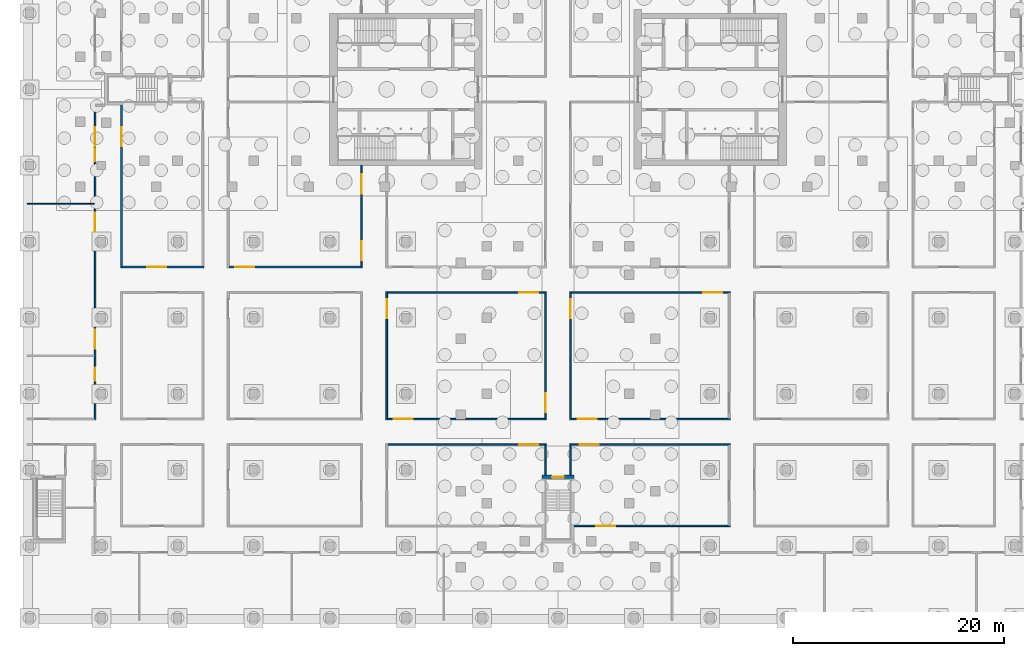
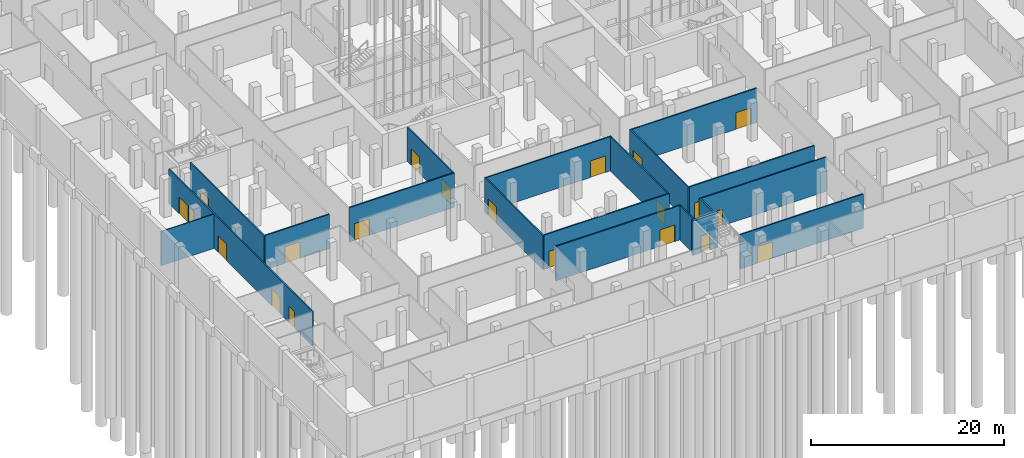
# One storey, part 8 of 54: 21 doors, 19 walls, 21 openings.
"""IFC4 building model written with IfcOpenShell, lengths in metres."""

from ifc_helpers import new_model, si_unit, direction, frame, frame_2d, origin, place, context, subcontext, project, spatial, rectangle, extrude, material, layer, layer_set, type_object, element, fill, save


model = new_model("IFC4")

# Units and contexts
model_context = context("Model", 3, precision=1e-05, world=origin(), true_north=direction((0.0, 1.0)))
body_context = subcontext(model_context, "Body", "Model", "MODEL_VIEW")
ifc_project = project(units=[si_unit("LENGTHUNIT", "METRE"), si_unit("AREAUNIT", "SQUARE_METRE"), si_unit("VOLUMEUNIT", "CUBIC_METRE"), si_unit("PLANEANGLEUNIT", "RADIAN"), si_unit("MASSUNIT", "GRAM", prefix="KILO")], contexts=[model_context])

# Site, building, storey
site_placement = place(None, origin())
site = spatial("IfcSite", under=ifc_project, at=site_placement, CompositionType="ELEMENT")
building_placement = place(site_placement, origin())
building = spatial("IfcBuilding", under=site, at=building_placement, Name="Fustian Cross Tower", CompositionType="ELEMENT")
storey_placement = place(building_placement, frame((0.0, 0.0, -4.800048828125)))
storey = spatial("IfcBuildingStorey", under=building, at=storey_placement, Name="B1", CompositionType="ELEMENT", Elevation=-4.800048828125)

# Wall, openings, doors
ifc_material_1 = material(Name="Plasterboard on steel stud", Category="steel")
ifc_layer_1 = layer(ifc_material_1, 0.14990234375)
ifc_layer_set_1 = layer_set([ifc_layer_1], Name="Plasterboard on steel stud")
wall_type_1 = type_object("IfcWallType", Name="COMPARTMENT WALL 150 EI 60", PredefinedType="PARTITIONING", material=ifc_layer_set_1)
wall_1_placement = place(storey_placement, frame((-43.800048828125, -31.27490234375, 0.0), z_axis=(0.0, 0.0, 1.0), x_axis=(0.0, 1.0, 0.0)))
wall_1 = element("IfcWall", 1, at=wall_1_placement, inside=storey, type_object=wall_type_1, Name="Partition 15", PredefinedType="PARTITIONING", context=body_context, shape_type="SweptSolid", body=[
    extrude(rectangle(XDim=29.849853515625, YDim=0.14990234375, at=frame_2d((14.9248046875, 0.0))), origin(), (0.0, 0.0, 1.0), 4.35009765625),
])
opening_1_placement = place(wall_1_placement, frame((3.72509765625, 0.0, 0.0)))
opening_1 = element("IfcOpeningElement", 2, at=opening_1_placement, cuts=wall_1, Name="Opening D01008", PredefinedType="OPENING", context=body_context, shape_type="SweptSolid", body=[
    extrude(rectangle(XDim=1.199951171875, YDim=2.10009765625, at=frame_2d((0.60009765625, 1.050048828125))), frame((0.0, 0.0849609375, 0.0), z_axis=(0.0, -1.0, 0.0), x_axis=(1.0, 0.0, 0.0)), (0.0, 0.0, 1.0), 0.169921875),
])
opening_2_placement = place(wall_1_placement, frame((24.47509765625, 0.0, 0.0)))
opening_2 = element("IfcOpeningElement", 3, at=opening_2_placement, cuts=wall_1, Name="Opening D01161", PredefinedType="OPENING", context=body_context, shape_type="SweptSolid", body=[
    extrude(rectangle(XDim=1.199951171875, YDim=2.10009765625, at=frame_2d((0.60009765625, 1.050048828125))), frame((0.0, 0.0849609375, 0.0), z_axis=(0.0, -1.0, 0.0), x_axis=(1.0, 0.0, 0.0)), (0.0, 0.0, 1.0), 0.169921875),
])
opening_3_placement = place(wall_1_placement, frame((25.875, 0.0, 0.0)))
opening_3 = element("IfcOpeningElement", 4, at=opening_3_placement, cuts=wall_1, Name="Opening D01162", PredefinedType="OPENING", context=body_context, shape_type="SweptSolid", body=[
    extrude(rectangle(XDim=1.800048828125, YDim=2.10009765625, at=frame_2d((0.89990234375, 1.050048828125))), frame((0.0, 0.0849609375, 0.0), z_axis=(0.0, -1.0, 0.0), x_axis=(1.0, 0.0, 0.0)), (0.0, 0.0, 1.0), 0.169921875),
])
opening_4_placement = place(wall_1_placement, frame((6.72509765625, 0.0, 0.0)))
opening_4 = element("IfcOpeningElement", 5, at=opening_4_placement, cuts=wall_1, Name="Opening D01175", PredefinedType="OPENING", context=body_context, shape_type="SweptSolid", body=[
    extrude(rectangle(XDim=1.800048828125, YDim=2.10009765625, at=frame_2d((0.89990234375, 1.050048828125))), frame((0.0, 0.0849609375, 0.0), z_axis=(0.0, -1.0, 0.0), x_axis=(1.0, 0.0, 0.0)), (0.0, 0.0, 1.0), 0.169921875),
])
opening_5_placement = place(wall_1_placement, frame((17.824951171875, 0.0, 0.0)))
opening_5 = element("IfcOpeningElement", 6, at=opening_5_placement, cuts=wall_1, Name="Opening D01176", PredefinedType="OPENING", context=body_context, shape_type="SweptSolid", body=[
    extrude(rectangle(XDim=1.800048828125, YDim=2.10009765625, at=frame_2d((0.89990234375, 1.050048828125))), frame((0.0, 0.0849609375, 0.0), z_axis=(0.0, -1.0, 0.0), x_axis=(1.0, 0.0, 0.0)), (0.0, 0.0, 1.0), 0.169921875),
])
ifc_material_2 = material(Name="Timber fire door set", Category="wood")
door_type_1 = type_object("IfcDoorType", Name="FIRE DOUBLE DOOR 1800 FD30S", OperationType="DOUBLE_DOOR_DOUBLE_SWING", PredefinedType="DOOR", material=ifc_material_2)
door_1_placement = place(opening_3_placement, frame((1.800048828125, 0.0, 0.0), z_axis=(0.0, 0.0, 1.0), x_axis=(-1.0, 0.0, 0.0)))
door_1 = element("IfcDoor", 7, at=door_1_placement, inside=storey, type_object=door_type_1, Name="Door D01162", OperationType="DOUBLE_DOOR_DOUBLE_SWING", OverallHeight=2.10009765625, OverallWidth=1.800048828125, PredefinedType="DOOR", context=body_context, shape_type="SweptSolid", body=[
    extrude(rectangle(XDim=1.800048828125, YDim=2.10009765625, at=frame_2d((0.89990234375, 1.050048828125))), frame((0.0, 0.02490234375, 0.0), z_axis=(0.0, -1.0, 0.0), x_axis=(1.0, 0.0, 0.0)), (0.0, 0.0, 1.0), 0.050048828125),
])
fill(opening_3, door_1)
door_2_placement = place(opening_4_placement, frame((1.800048828125, 0.0, 0.0), z_axis=(0.0, 0.0, 1.0), x_axis=(-1.0, 0.0, 0.0)))
door_2 = element("IfcDoor", 8, at=door_2_placement, inside=storey, type_object=door_type_1, Name="Door D01175", OperationType="DOUBLE_DOOR_DOUBLE_SWING", OverallHeight=2.10009765625, OverallWidth=1.800048828125, PredefinedType="DOOR", context=body_context, shape_type="SweptSolid", body=[
    extrude(rectangle(XDim=1.800048828125, YDim=2.10009765625, at=frame_2d((0.89990234375, 1.050048828125))), frame((0.0, 0.02490234375, 0.0), z_axis=(0.0, -1.0, 0.0), x_axis=(1.0, 0.0, 0.0)), (0.0, 0.0, 1.0), 0.050048828125),
])
fill(opening_4, door_2)
door_3_placement = place(opening_5_placement, frame((1.800048828125, 0.0, 0.0), z_axis=(0.0, 0.0, 1.0), x_axis=(-1.0, 0.0, 0.0)))
door_3 = element("IfcDoor", 9, at=door_3_placement, inside=storey, type_object=door_type_1, Name="Door D01176", OperationType="DOUBLE_DOOR_DOUBLE_SWING", OverallHeight=2.10009765625, OverallWidth=1.800048828125, PredefinedType="DOOR", context=body_context, shape_type="SweptSolid", body=[
    extrude(rectangle(XDim=1.800048828125, YDim=2.10009765625, at=frame_2d((0.89990234375, 1.050048828125))), frame((0.0, 0.02490234375, 0.0), z_axis=(0.0, -1.0, 0.0), x_axis=(1.0, 0.0, 0.0)), (0.0, 0.0, 1.0), 0.050048828125),
])
fill(opening_5, door_3)
ifc_material_3 = material(Name="Timber fire door set", Category="wood")
door_type_2 = type_object("IfcDoorType", Name="FIRE SWING DOOR 1200 FD30S", OperationType="SINGLE_SWING_LEFT", PredefinedType="DOOR", material=ifc_material_3)
door_4_placement = place(opening_1_placement, origin())
door_4 = element("IfcDoor", 10, at=door_4_placement, inside=storey, type_object=door_type_2, Name="Door D01008", OperationType="SINGLE_SWING_RIGHT", OverallHeight=2.10009765625, OverallWidth=1.199951171875, PredefinedType="DOOR", context=body_context, shape_type="SweptSolid", body=[
    extrude(rectangle(XDim=1.199951171875, YDim=2.10009765625, at=frame_2d((0.60009765625, 1.050048828125))), frame((0.0, 0.02490234375, 0.0), z_axis=(0.0, -1.0, 0.0), x_axis=(1.0, 0.0, 0.0)), (0.0, 0.0, 1.0), 0.050048828125),
])
fill(opening_1, door_4)
door_5_placement = place(opening_2_placement, origin())
door_5 = element("IfcDoor", 11, at=door_5_placement, inside=storey, type_object=door_type_2, Name="Door D01161", OperationType="SINGLE_SWING_LEFT", OverallHeight=2.10009765625, OverallWidth=1.199951171875, PredefinedType="DOOR", context=body_context, shape_type="SweptSolid", body=[
    extrude(rectangle(XDim=1.199951171875, YDim=2.10009765625, at=frame_2d((0.60009765625, 1.050048828125))), frame((0.0, 0.02490234375, 0.0), z_axis=(0.0, -1.0, 0.0), x_axis=(1.0, 0.0, 0.0)), (0.0, 0.0, 1.0), 0.050048828125),
])
fill(opening_2, door_5)

# Wall, opening, door
wall_2_placement = place(storey_placement, frame((-41.300048828125, -16.875, 0.0), z_axis=(0.0, 0.0, 1.0), x_axis=(0.0, 1.0, 0.0)))
wall_2 = element("IfcWall", 12, at=wall_2_placement, inside=storey, type_object=wall_type_1, Name="Partition 27", PredefinedType="PARTITIONING", context=body_context, shape_type="SweptSolid", body=[
    extrude(rectangle(XDim=15.375, YDim=0.14990234375, at=frame_2d((7.6875, 0.0))), origin(), (0.0, 0.0, 1.0), 4.35009765625),
])
opening_6_placement = place(wall_2_placement, frame((11.47509765625, 0.0, 0.0)))
opening_6 = element("IfcOpeningElement", 13, at=opening_6_placement, cuts=wall_2, Name="Opening D01169", PredefinedType="OPENING", context=body_context, shape_type="SweptSolid", body=[
    extrude(rectangle(XDim=1.800048828125, YDim=2.10009765625, at=frame_2d((0.89990234375, 1.050048828125))), frame((0.0, 0.0849609375, 0.0), z_axis=(0.0, -1.0, 0.0), x_axis=(1.0, 0.0, 0.0)), (0.0, 0.0, 1.0), 0.169921875),
])
door_6_placement = place(opening_6_placement, origin())
door_6 = element("IfcDoor", 14, at=door_6_placement, inside=storey, type_object=door_type_1, Name="Door D01169", OperationType="DOUBLE_DOOR_DOUBLE_SWING", OverallHeight=2.10009765625, OverallWidth=1.800048828125, PredefinedType="DOOR", context=body_context, shape_type="SweptSolid", body=[
    extrude(rectangle(XDim=1.800048828125, YDim=2.10009765625, at=frame_2d((0.89990234375, 1.050048828125))), frame((0.0, 0.02490234375, 0.0), z_axis=(0.0, -1.0, 0.0), x_axis=(1.0, 0.0, 0.0)), (0.0, 0.0, 1.0), 0.050048828125),
])
fill(opening_6, door_6)

wall_3_placement = place(storey_placement, frame((-41.22509765625, -16.800048828125, 0.0), z_axis=(0.0, 0.0, 1.0), x_axis=(1.0, 0.0, 0.0)))
wall_3 = element("IfcWall", 15, at=wall_3_placement, inside=storey, type_object=wall_type_1, Name="Partition 28", PredefinedType="PARTITIONING", context=body_context, shape_type="SweptSolid", body=[
    extrude(rectangle(XDim=7.7001953125, YDim=0.14990234375, at=frame_2d((3.85009765625, 0.0))), origin(), (0.0, 0.0, 1.0), 4.35009765625),
])
opening_7_placement = place(wall_3_placement, frame((2.375, 0.0, 0.0)))
opening_7 = element("IfcOpeningElement", 16, at=opening_7_placement, cuts=wall_3, Name="Opening D01170", PredefinedType="OPENING", context=body_context, shape_type="SweptSolid", body=[
    extrude(rectangle(XDim=1.800048828125, YDim=2.10009765625, at=frame_2d((0.89990234375, 1.050048828125))), frame((0.0, 0.0849609375, 0.0), z_axis=(0.0, -1.0, 0.0), x_axis=(1.0, 0.0, 0.0)), (0.0, 0.0, 1.0), 0.169921875),
])
door_7_placement = place(opening_7_placement, frame((1.800048828125, 0.0, 0.0), z_axis=(0.0, 0.0, 1.0), x_axis=(-1.0, 0.0, 0.0)))
door_7 = element("IfcDoor", 17, at=door_7_placement, inside=storey, type_object=door_type_1, Name="Door D01170", OperationType="DOUBLE_DOOR_DOUBLE_SWING", OverallHeight=2.10009765625, OverallWidth=1.800048828125, PredefinedType="DOOR", context=body_context, shape_type="SweptSolid", body=[
    extrude(rectangle(XDim=1.800048828125, YDim=2.10009765625, at=frame_2d((0.89990234375, 1.050048828125))), frame((0.0, 0.02490234375, 0.0), z_axis=(0.0, -1.0, 0.0), x_axis=(1.0, 0.0, 0.0)), (0.0, 0.0, 1.0), 0.050048828125),
])
fill(opening_7, door_7)

wall_4_placement = place(storey_placement, frame((-31.125, -16.800048828125, 0.0), z_axis=(0.0, 0.0, 1.0), x_axis=(1.0, 0.0, 0.0)))
wall_4 = element("IfcWall", 18, at=wall_4_placement, inside=storey, type_object=wall_type_1, Name="Partition 54", PredefinedType="PARTITIONING", context=body_context, shape_type="SweptSolid", body=[
    extrude(rectangle(XDim=12.60009765625, YDim=0.14990234375, at=frame_2d((6.300048828125, 0.0))), origin(), (0.0, 0.0, 1.0), 4.35009765625),
])
opening_8_placement = place(wall_4_placement, frame((0.574951171875, 0.0, 0.0)))
opening_8 = element("IfcOpeningElement", 19, at=opening_8_placement, cuts=wall_4, Name="Opening D01087", PredefinedType="OPENING", context=body_context, shape_type="SweptSolid", body=[
    extrude(rectangle(XDim=1.800048828125, YDim=2.10009765625, at=frame_2d((0.89990234375, 1.050048828125))), frame((0.0, 0.0849609375, 0.0), z_axis=(0.0, -1.0, 0.0), x_axis=(1.0, 0.0, 0.0)), (0.0, 0.0, 1.0), 0.169921875),
])
ifc_material_4 = material(Name="Timber fire door set", Category="wood")
door_type_3 = type_object("IfcDoorType", Name="FIRE DOUBLE DOOR 1800 FD60S", OperationType="DOUBLE_DOOR_DOUBLE_SWING", PredefinedType="DOOR", material=ifc_material_4)
door_8_placement = place(opening_8_placement, frame((1.800048828125, 0.0, 0.0), z_axis=(0.0, 0.0, 1.0), x_axis=(-1.0, 0.0, 0.0)))
door_8 = element("IfcDoor", 20, at=door_8_placement, inside=storey, type_object=door_type_3, Name="Door D01087", OperationType="DOUBLE_DOOR_DOUBLE_SWING", OverallHeight=2.10009765625, OverallWidth=1.800048828125, PredefinedType="DOOR", context=body_context, shape_type="SweptSolid", body=[
    extrude(rectangle(XDim=1.800048828125, YDim=2.10009765625, at=frame_2d((0.89990234375, 1.050048828125))), frame((0.0, 0.02490234375, 0.0), z_axis=(0.0, -1.0, 0.0), x_axis=(1.0, 0.0, 0.0)), (0.0, 0.0, 1.0), 0.050048828125),
])
fill(opening_8, door_8)

# Wall, openings, doors
wall_5_placement = place(storey_placement, frame((-18.60009765625, -16.72509765625, 0.0), z_axis=(0.0, 0.0, 1.0), x_axis=(0.0, 1.0, 0.0)))
wall_5 = element("IfcWall", 21, at=wall_5_placement, inside=storey, type_object=wall_type_1, Name="Partition 68", PredefinedType="PARTITIONING", context=body_context, shape_type="SweptSolid", body=[
    extrude(rectangle(XDim=9.525146484375, YDim=0.14990234375, at=frame_2d((4.7626953125, 0.0))), origin(), (0.0, 0.0, 1.0), 4.35009765625),
])
opening_9_placement = place(wall_5_placement, frame((0.574951171875, 0.0, 0.0)))
opening_9 = element("IfcOpeningElement", 22, at=opening_9_placement, cuts=wall_5, Name="Opening D01089", PredefinedType="OPENING", context=body_context, shape_type="SweptSolid", body=[
    extrude(rectangle(XDim=1.800048828125, YDim=2.10009765625, at=frame_2d((0.89990234375, 1.050048828125))), frame((0.0, 0.0849609375, 0.0), z_axis=(0.0, -1.0, 0.0), x_axis=(1.0, 0.0, 0.0)), (0.0, 0.0, 1.0), 0.169921875),
])
opening_10_placement = place(wall_5_placement, frame((6.875, 0.0, 0.0)))
opening_10 = element("IfcOpeningElement", 23, at=opening_10_placement, cuts=wall_5, Name="Opening D01090", PredefinedType="OPENING", context=body_context, shape_type="SweptSolid", body=[
    extrude(rectangle(XDim=1.800048828125, YDim=2.10009765625, at=frame_2d((0.89990234375, 1.050048828125))), frame((0.0, 0.0849609375, 0.0), z_axis=(0.0, -1.0, 0.0), x_axis=(1.0, 0.0, 0.0)), (0.0, 0.0, 1.0), 0.169921875),
])
door_9_placement = place(opening_9_placement, frame((1.800048828125, 0.0, 0.0), z_axis=(0.0, 0.0, 1.0), x_axis=(-1.0, 0.0, 0.0)))
door_9 = element("IfcDoor", 24, at=door_9_placement, inside=storey, type_object=door_type_3, Name="Door D01089", OperationType="DOUBLE_DOOR_DOUBLE_SWING", OverallHeight=2.10009765625, OverallWidth=1.800048828125, PredefinedType="DOOR", context=body_context, shape_type="SweptSolid", body=[
    extrude(rectangle(XDim=1.800048828125, YDim=2.10009765625, at=frame_2d((0.89990234375, 1.050048828125))), frame((0.0, 0.02490234375, 0.0), z_axis=(0.0, -1.0, 0.0), x_axis=(1.0, 0.0, 0.0)), (0.0, 0.0, 1.0), 0.050048828125),
])
fill(opening_9, door_9)
door_10_placement = place(opening_10_placement, frame((1.800048828125, 0.0, 0.0), z_axis=(0.0, 0.0, 1.0), x_axis=(-1.0, 0.0, 0.0)))
door_10 = element("IfcDoor", 25, at=door_10_placement, inside=storey, type_object=door_type_3, Name="Door D01090", OperationType="DOUBLE_DOOR_DOUBLE_SWING", OverallHeight=2.10009765625, OverallWidth=1.800048828125, PredefinedType="DOOR", context=body_context, shape_type="SweptSolid", body=[
    extrude(rectangle(XDim=1.800048828125, YDim=2.10009765625, at=frame_2d((0.89990234375, 1.050048828125))), frame((0.0, 0.02490234375, 0.0), z_axis=(0.0, -1.0, 0.0), x_axis=(1.0, 0.0, 0.0)), (0.0, 0.0, 1.0), 0.050048828125),
])
fill(opening_10, door_10)

# Wall, opening, door
wall_6_placement = place(storey_placement, frame((-16.125, -33.60009765625, 0.0), z_axis=(0.0, 0.0, 1.0), x_axis=(1.0, 0.0, 0.0)))
wall_6 = element("IfcWall", 26, at=wall_6_placement, inside=storey, type_object=wall_type_1, Name="Partition 74", PredefinedType="PARTITIONING", context=body_context, shape_type="SweptSolid", body=[
    extrude(rectangle(XDim=15.0, YDim=0.14990234375, at=frame_2d((7.5, 0.0))), origin(), (0.0, 0.0, 1.0), 4.35009765625),
])
opening_11_placement = place(wall_6_placement, frame((12.47509765625, 0.0, 0.0)))
opening_11 = element("IfcOpeningElement", 27, at=opening_11_placement, cuts=wall_6, Name="Opening D01019", PredefinedType="OPENING", context=body_context, shape_type="SweptSolid", body=[
    extrude(rectangle(XDim=1.800048828125, YDim=2.10009765625, at=frame_2d((0.89990234375, 1.050048828125))), frame((0.0, 0.0849609375, 0.0), z_axis=(0.0, -1.0, 0.0), x_axis=(1.0, 0.0, 0.0)), (0.0, 0.0, 1.0), 0.169921875),
])
door_11_placement = place(opening_11_placement, origin())
door_11 = element("IfcDoor", 28, at=door_11_placement, inside=storey, type_object=door_type_1, Name="Door D01019", OperationType="DOUBLE_DOOR_DOUBLE_SWING", OverallHeight=2.10009765625, OverallWidth=1.800048828125, PredefinedType="DOOR", context=body_context, shape_type="SweptSolid", body=[
    extrude(rectangle(XDim=1.800048828125, YDim=2.10009765625, at=frame_2d((0.89990234375, 1.050048828125))), frame((0.0, 0.02490234375, 0.0), z_axis=(0.0, -1.0, 0.0), x_axis=(1.0, 0.0, 0.0)), (0.0, 0.0, 1.0), 0.050048828125),
])
fill(opening_11, door_11)

wall_7_placement = place(storey_placement, frame((-16.199951171875, -31.27490234375, 0.0), z_axis=(0.0, 0.0, 1.0), x_axis=(0.0, 1.0, 0.0)))
wall_7 = element("IfcWall", 29, at=wall_7_placement, inside=storey, type_object=wall_type_1, Name="Partition 75", PredefinedType="PARTITIONING", context=body_context, shape_type="SweptSolid", body=[
    extrude(rectangle(XDim=12.14990234375, YDim=0.14990234375, at=frame_2d((6.074951171875, 0.0))), origin(), (0.0, 0.0, 1.0), 4.35009765625),
])
opening_12_placement = place(wall_7_placement, frame((9.625, 0.0, 0.0)))
opening_12 = element("IfcOpeningElement", 30, at=opening_12_placement, cuts=wall_7, Name="Opening D01091", PredefinedType="OPENING", context=body_context, shape_type="SweptSolid", body=[
    extrude(rectangle(XDim=1.800048828125, YDim=2.10009765625, at=frame_2d((0.89990234375, 1.050048828125))), frame((0.0, 0.0849609375, 0.0), z_axis=(0.0, -1.0, 0.0), x_axis=(1.0, 0.0, 0.0)), (0.0, 0.0, 1.0), 0.169921875),
])
door_12_placement = place(opening_12_placement, origin())
door_12 = element("IfcDoor", 31, at=door_12_placement, inside=storey, type_object=door_type_3, Name="Door D01091", OperationType="DOUBLE_DOOR_DOUBLE_SWING", OverallHeight=2.10009765625, OverallWidth=1.800048828125, PredefinedType="DOOR", context=body_context, shape_type="SweptSolid", body=[
    extrude(rectangle(XDim=1.800048828125, YDim=2.10009765625, at=frame_2d((0.89990234375, 1.050048828125))), frame((0.0, 0.02490234375, 0.0), z_axis=(0.0, -1.0, 0.0), x_axis=(1.0, 0.0, 0.0)), (0.0, 0.0, 1.0), 0.050048828125),
])
fill(opening_12, door_12)

wall_8_placement = place(storey_placement, frame((-16.125, -31.199951171875, 0.0), z_axis=(0.0, 0.0, 1.0), x_axis=(1.0, 0.0, 0.0)))
wall_8 = element("IfcWall", 32, at=wall_8_placement, inside=storey, type_object=wall_type_1, Name="Partition 76", PredefinedType="PARTITIONING", context=body_context, shape_type="SweptSolid", body=[
    extrude(rectangle(XDim=15.0, YDim=0.14990234375, at=frame_2d((7.5, 0.0))), origin(), (0.0, 0.0, 1.0), 4.35009765625),
])
opening_13_placement = place(wall_8_placement, frame((0.574951171875, 0.0, 0.0)))
opening_13 = element("IfcOpeningElement", 33, at=opening_13_placement, cuts=wall_8, Name="Opening D01092", PredefinedType="OPENING", context=body_context, shape_type="SweptSolid", body=[
    extrude(rectangle(XDim=1.800048828125, YDim=2.10009765625, at=frame_2d((0.89990234375, 1.050048828125))), frame((0.0, 0.0849609375, 0.0), z_axis=(0.0, -1.0, 0.0), x_axis=(1.0, 0.0, 0.0)), (0.0, 0.0, 1.0), 0.169921875),
])
door_13_placement = place(opening_13_placement, frame((1.800048828125, 0.0, 0.0), z_axis=(0.0, 0.0, 1.0), x_axis=(-1.0, 0.0, 0.0)))
door_13 = element("IfcDoor", 34, at=door_13_placement, inside=storey, type_object=door_type_3, Name="Door D01092", OperationType="DOUBLE_DOOR_DOUBLE_SWING", OverallHeight=2.10009765625, OverallWidth=1.800048828125, PredefinedType="DOOR", context=body_context, shape_type="SweptSolid", body=[
    extrude(rectangle(XDim=1.800048828125, YDim=2.10009765625, at=frame_2d((0.89990234375, 1.050048828125))), frame((0.0, 0.02490234375, 0.0), z_axis=(0.0, -1.0, 0.0), x_axis=(1.0, 0.0, 0.0)), (0.0, 0.0, 1.0), 0.050048828125),
])
fill(opening_13, door_13)

wall_9_placement = place(storey_placement, frame((-16.125, -19.199951171875, 0.0), z_axis=(0.0, 0.0, 1.0), x_axis=(1.0, 0.0, 0.0)))
wall_9 = element("IfcWall", 35, at=wall_9_placement, inside=storey, type_object=wall_type_1, Name="Partition 77", PredefinedType="PARTITIONING", context=body_context, shape_type="SweptSolid", body=[
    extrude(rectangle(XDim=15.0, YDim=0.14990234375, at=frame_2d((7.5, 0.0))), origin(), (0.0, 0.0, 1.0), 4.35009765625),
])
opening_14_placement = place(wall_9_placement, frame((12.47509765625, 0.0, 0.0)))
opening_14 = element("IfcOpeningElement", 36, at=opening_14_placement, cuts=wall_9, Name="Opening D01093", PredefinedType="OPENING", context=body_context, shape_type="SweptSolid", body=[
    extrude(rectangle(XDim=1.800048828125, YDim=2.10009765625, at=frame_2d((0.89990234375, 1.050048828125))), frame((0.0, 0.0849609375, 0.0), z_axis=(0.0, -1.0, 0.0), x_axis=(1.0, 0.0, 0.0)), (0.0, 0.0, 1.0), 0.169921875),
])
door_14_placement = place(opening_14_placement, origin())
door_14 = element("IfcDoor", 37, at=door_14_placement, inside=storey, type_object=door_type_3, Name="Door D01093", OperationType="DOUBLE_DOOR_DOUBLE_SWING", OverallHeight=2.10009765625, OverallWidth=1.800048828125, PredefinedType="DOOR", context=body_context, shape_type="SweptSolid", body=[
    extrude(rectangle(XDim=1.800048828125, YDim=2.10009765625, at=frame_2d((0.89990234375, 1.050048828125))), frame((0.0, 0.02490234375, 0.0), z_axis=(0.0, -1.0, 0.0), x_axis=(1.0, 0.0, 0.0)), (0.0, 0.0, 1.0), 0.050048828125),
])
fill(opening_14, door_14)

# Wall
wall_10_placement = place(storey_placement, frame((-1.199951171875, -36.5, 0.0), z_axis=(0.0, 0.0, 1.0), x_axis=(0.0, 1.0, 0.0)))
element("IfcWall", 38, at=wall_10_placement, inside=storey, type_object=wall_type_1, Name="Partition 94", PredefinedType="PARTITIONING", context=body_context, shape_type="SweptSolid", body=[
    extrude(rectangle(XDim=2.824951171875, YDim=0.14990234375, at=frame_2d((1.41259765625, 0.0))), origin(), (0.0, 0.0, 1.0), 4.35009765625),
])

# Wall, opening, door
wall_11_placement = place(storey_placement, frame((-1.199951171875, -31.125, 0.0), z_axis=(0.0, 0.0, 1.0), x_axis=(0.0, 1.0, 0.0)))
wall_11 = element("IfcWall", 39, at=wall_11_placement, inside=storey, type_object=wall_type_1, Name="Partition 95", PredefinedType="PARTITIONING", context=body_context, shape_type="SweptSolid", body=[
    extrude(rectangle(XDim=11.85009765625, YDim=0.14990234375, at=frame_2d((5.925048828125, 0.0))), origin(), (0.0, 0.0, 1.0), 4.35009765625),
])
opening_15_placement = place(wall_11_placement, frame((0.574951171875, 0.0, 0.0)))
opening_15 = element("IfcOpeningElement", 40, at=opening_15_placement, cuts=wall_11, Name="Opening D01094", PredefinedType="OPENING", context=body_context, shape_type="SweptSolid", body=[
    extrude(rectangle(XDim=1.800048828125, YDim=2.10009765625, at=frame_2d((0.89990234375, 1.050048828125))), frame((0.0, 0.0849609375, 0.0), z_axis=(0.0, -1.0, 0.0), x_axis=(1.0, 0.0, 0.0)), (0.0, 0.0, 1.0), 0.169921875),
])
door_15_placement = place(opening_15_placement, frame((1.800048828125, 0.0, 0.0), z_axis=(0.0, 0.0, 1.0), x_axis=(-1.0, 0.0, 0.0)))
door_15 = element("IfcDoor", 41, at=door_15_placement, inside=storey, type_object=door_type_3, Name="Door D01094", OperationType="DOUBLE_DOOR_DOUBLE_SWING", OverallHeight=2.10009765625, OverallWidth=1.800048828125, PredefinedType="DOOR", context=body_context, shape_type="SweptSolid", body=[
    extrude(rectangle(XDim=1.800048828125, YDim=2.10009765625, at=frame_2d((0.89990234375, 1.050048828125))), frame((0.0, 0.02490234375, 0.0), z_axis=(0.0, -1.0, 0.0), x_axis=(1.0, 0.0, 0.0)), (0.0, 0.0, 1.0), 0.050048828125),
])
fill(opening_15, door_15)

# Wall
wall_12_placement = place(storey_placement, frame((1.199951171875, -36.5, 0.0), z_axis=(0.0, 0.0, 1.0), x_axis=(0.0, 1.0, 0.0)))
element("IfcWall", 42, at=wall_12_placement, inside=storey, type_object=wall_type_1, Name="Partition 100", PredefinedType="PARTITIONING", context=body_context, shape_type="SweptSolid", body=[
    extrude(rectangle(XDim=2.97509765625, YDim=0.14990234375, at=frame_2d((1.487548828125, 0.0))), origin(), (0.0, 0.0, 1.0), 4.35009765625),
])

# Wall, opening, door
wall_13_placement = place(storey_placement, frame((1.27490234375, -33.60009765625, 0.0), z_axis=(0.0, 0.0, 1.0), x_axis=(1.0, 0.0, 0.0)))
wall_13 = element("IfcWall", 43, at=wall_13_placement, inside=storey, type_object=wall_type_1, Name="Partition 101", PredefinedType="PARTITIONING", context=body_context, shape_type="SweptSolid", body=[
    extrude(rectangle(XDim=15.0, YDim=0.14990234375, at=frame_2d((7.5, 0.0))), origin(), (0.0, 0.0, 1.0), 4.35009765625),
])
opening_16_placement = place(wall_13_placement, frame((0.77490234375, 0.0, 0.0)))
opening_16 = element("IfcOpeningElement", 44, at=opening_16_placement, cuts=wall_13, Name="Opening D01020", PredefinedType="OPENING", context=body_context, shape_type="SweptSolid", body=[
    extrude(rectangle(XDim=1.800048828125, YDim=2.10009765625, at=frame_2d((0.89990234375, 1.050048828125))), frame((0.0, 0.0849609375, 0.0), z_axis=(0.0, -1.0, 0.0), x_axis=(1.0, 0.0, 0.0)), (0.0, 0.0, 1.0), 0.169921875),
])
door_16_placement = place(opening_16_placement, origin())
door_16 = element("IfcDoor", 45, at=door_16_placement, inside=storey, type_object=door_type_1, Name="Door D01020", OperationType="DOUBLE_DOOR_DOUBLE_SWING", OverallHeight=2.10009765625, OverallWidth=1.800048828125, PredefinedType="DOOR", context=body_context, shape_type="SweptSolid", body=[
    extrude(rectangle(XDim=1.800048828125, YDim=2.10009765625, at=frame_2d((0.89990234375, 1.050048828125))), frame((0.0, 0.02490234375, 0.0), z_axis=(0.0, -1.0, 0.0), x_axis=(1.0, 0.0, 0.0)), (0.0, 0.0, 1.0), 0.050048828125),
])
fill(opening_16, door_16)

wall_14_placement = place(storey_placement, frame((1.199951171875, -31.27490234375, 0.0), z_axis=(0.0, 0.0, 1.0), x_axis=(0.0, 1.0, 0.0)))
wall_14 = element("IfcWall", 46, at=wall_14_placement, inside=storey, type_object=wall_type_1, Name="Partition 102", PredefinedType="PARTITIONING", context=body_context, shape_type="SweptSolid", body=[
    extrude(rectangle(XDim=12.14990234375, YDim=0.14990234375, at=frame_2d((6.074951171875, 0.0))), origin(), (0.0, 0.0, 1.0), 4.35009765625),
])
opening_17_placement = place(wall_14_placement, frame((9.625, 0.0, 0.0)))
opening_17 = element("IfcOpeningElement", 47, at=opening_17_placement, cuts=wall_14, Name="Opening D01104", PredefinedType="OPENING", context=body_context, shape_type="SweptSolid", body=[
    extrude(rectangle(XDim=1.800048828125, YDim=2.10009765625, at=frame_2d((0.89990234375, 1.050048828125))), frame((0.0, 0.0849609375, 0.0), z_axis=(0.0, -1.0, 0.0), x_axis=(1.0, 0.0, 0.0)), (0.0, 0.0, 1.0), 0.169921875),
])
door_17_placement = place(opening_17_placement, origin())
door_17 = element("IfcDoor", 48, at=door_17_placement, inside=storey, type_object=door_type_1, Name="Door D01104", OperationType="DOUBLE_DOOR_DOUBLE_SWING", OverallHeight=2.10009765625, OverallWidth=1.800048828125, PredefinedType="DOOR", context=body_context, shape_type="SweptSolid", body=[
    extrude(rectangle(XDim=1.800048828125, YDim=2.10009765625, at=frame_2d((0.89990234375, 1.050048828125))), frame((0.0, 0.02490234375, 0.0), z_axis=(0.0, -1.0, 0.0), x_axis=(1.0, 0.0, 0.0)), (0.0, 0.0, 1.0), 0.050048828125),
])
fill(opening_17, door_17)

wall_15_placement = place(storey_placement, frame((1.27490234375, -31.199951171875, 0.0), z_axis=(0.0, 0.0, 1.0), x_axis=(1.0, 0.0, 0.0)))
wall_15 = element("IfcWall", 49, at=wall_15_placement, inside=storey, type_object=wall_type_1, Name="Partition 103", PredefinedType="PARTITIONING", context=body_context, shape_type="SweptSolid", body=[
    extrude(rectangle(XDim=15.0, YDim=0.14990234375, at=frame_2d((7.5, 0.0))), origin(), (0.0, 0.0, 1.0), 4.35009765625),
])
opening_18_placement = place(wall_15_placement, frame((0.574951171875, 0.0, 0.0)))
opening_18 = element("IfcOpeningElement", 50, at=opening_18_placement, cuts=wall_15, Name="Opening D01105", PredefinedType="OPENING", context=body_context, shape_type="SweptSolid", body=[
    extrude(rectangle(XDim=1.800048828125, YDim=2.10009765625, at=frame_2d((0.89990234375, 1.050048828125))), frame((0.0, 0.0849609375, 0.0), z_axis=(0.0, -1.0, 0.0), x_axis=(1.0, 0.0, 0.0)), (0.0, 0.0, 1.0), 0.169921875),
])
door_18_placement = place(opening_18_placement, frame((1.800048828125, 0.0, 0.0), z_axis=(0.0, 0.0, 1.0), x_axis=(-1.0, 0.0, 0.0)))
door_18 = element("IfcDoor", 51, at=door_18_placement, inside=storey, type_object=door_type_1, Name="Door D01105", OperationType="DOUBLE_DOOR_DOUBLE_SWING", OverallHeight=2.10009765625, OverallWidth=1.800048828125, PredefinedType="DOOR", context=body_context, shape_type="SweptSolid", body=[
    extrude(rectangle(XDim=1.800048828125, YDim=2.10009765625, at=frame_2d((0.89990234375, 1.050048828125))), frame((0.0, 0.02490234375, 0.0), z_axis=(0.0, -1.0, 0.0), x_axis=(1.0, 0.0, 0.0)), (0.0, 0.0, 1.0), 0.050048828125),
])
fill(opening_18, door_18)

wall_16_placement = place(storey_placement, frame((1.27490234375, -19.199951171875, 0.0), z_axis=(0.0, 0.0, 1.0), x_axis=(1.0, 0.0, 0.0)))
wall_16 = element("IfcWall", 52, at=wall_16_placement, inside=storey, type_object=wall_type_1, Name="Partition 104", PredefinedType="PARTITIONING", context=body_context, shape_type="SweptSolid", body=[
    extrude(rectangle(XDim=15.0, YDim=0.14990234375, at=frame_2d((7.5, 0.0))), origin(), (0.0, 0.0, 1.0), 4.35009765625),
])
opening_19_placement = place(wall_16_placement, frame((12.47509765625, 0.0, 0.0)))
opening_19 = element("IfcOpeningElement", 53, at=opening_19_placement, cuts=wall_16, Name="Opening D01106", PredefinedType="OPENING", context=body_context, shape_type="SweptSolid", body=[
    extrude(rectangle(XDim=1.800048828125, YDim=2.10009765625, at=frame_2d((0.89990234375, 1.050048828125))), frame((0.0, 0.0849609375, 0.0), z_axis=(0.0, -1.0, 0.0), x_axis=(1.0, 0.0, 0.0)), (0.0, 0.0, 1.0), 0.169921875),
])
door_19_placement = place(opening_19_placement, origin())
door_19 = element("IfcDoor", 54, at=door_19_placement, inside=storey, type_object=door_type_1, Name="Door D01106", OperationType="DOUBLE_DOOR_DOUBLE_SWING", OverallHeight=2.10009765625, OverallWidth=1.800048828125, PredefinedType="DOOR", context=body_context, shape_type="SweptSolid", body=[
    extrude(rectangle(XDim=1.800048828125, YDim=2.10009765625, at=frame_2d((0.89990234375, 1.050048828125))), frame((0.0, 0.02490234375, 0.0), z_axis=(0.0, -1.0, 0.0), x_axis=(1.0, 0.0, 0.0)), (0.0, 0.0, 1.0), 0.050048828125),
])
fill(opening_19, door_19)

wall_17_placement = place(storey_placement, frame((1.5, -41.300048828125, 0.0), z_axis=(0.0, 0.0, 1.0), x_axis=(1.0, 0.0, 0.0)))
wall_17 = element("IfcWall", 55, at=wall_17_placement, inside=storey, type_object=wall_type_1, Name="Partition 118", PredefinedType="PARTITIONING", context=body_context, shape_type="SweptSolid", body=[
    extrude(rectangle(XDim=14.77490234375, YDim=0.14990234375, at=frame_2d((7.387451171875, 0.0))), origin(), (0.0, 0.0, 1.0), 4.35009765625),
])
opening_20_placement = place(wall_17_placement, frame((2.10009765625, 0.0, 0.0)))
opening_20 = element("IfcOpeningElement", 56, at=opening_20_placement, cuts=wall_17, Name="Opening D01021", PredefinedType="OPENING", context=body_context, shape_type="SweptSolid", body=[
    extrude(rectangle(XDim=1.800048828125, YDim=2.10009765625, at=frame_2d((0.89990234375, 1.050048828125))), frame((0.0, 0.0849609375, 0.0), z_axis=(0.0, -1.0, 0.0), x_axis=(1.0, 0.0, 0.0)), (0.0, 0.0, 1.0), 0.169921875),
])
door_20_placement = place(opening_20_placement, frame((1.800048828125, 0.0, 0.0), z_axis=(0.0, 0.0, 1.0), x_axis=(-1.0, 0.0, 0.0)))
door_20 = element("IfcDoor", 57, at=door_20_placement, inside=storey, type_object=door_type_1, Name="Door D01021", OperationType="DOUBLE_DOOR_DOUBLE_SWING", OverallHeight=2.10009765625, OverallWidth=1.800048828125, PredefinedType="DOOR", context=body_context, shape_type="SweptSolid", body=[
    extrude(rectangle(XDim=1.800048828125, YDim=2.10009765625, at=frame_2d((0.89990234375, 1.050048828125))), frame((0.0, 0.02490234375, 0.0), z_axis=(0.0, -1.0, 0.0), x_axis=(1.0, 0.0, 0.0)), (0.0, 0.0, 1.0), 0.050048828125),
])
fill(opening_20, door_20)

# Wall
ifc_material_5 = material(Name="Plasterboard on steel stud", Category="steel")
ifc_layer_2 = layer(ifc_material_5, 0.10009765625)
ifc_layer_set_2 = layer_set([ifc_layer_2], Name="Plasterboard on steel stud")
wall_type_2 = type_object("IfcWallType", Name="PARTITION 100 STUD", PredefinedType="PARTITIONING", material=ifc_layer_set_2)
wall_18_placement = place(storey_placement, frame((-50.219970703125, -10.800048828125, 0.0), z_axis=(0.0, 0.0, 1.0), x_axis=(1.0, 0.0, 0.0)))
element("IfcWall", 58, at=wall_18_placement, inside=storey, type_object=wall_type_2, Name="Partition 4", PredefinedType="PARTITIONING", context=body_context, shape_type="SweptSolid", body=[
    extrude(rectangle(XDim=6.344970703125, YDim=0.10009765625, at=frame_2d((3.17236328125, 0.0))), origin(), (0.0, 0.0, 1.0), 4.35009765625),
])

# Wall, opening, door
ifc_material_6 = material(Name="Concrete C50/60", Category="concrete")
ifc_layer_3 = layer(ifc_material_6, 0.300048828125)
ifc_layer_set_3 = layer_set([ifc_layer_3], Name="Concrete C50/60")
wall_type_3 = type_object("IfcWallType", Name="STAIR ENCLOSURE WALL 300 C50/60", PredefinedType="SHEAR", material=ifc_layer_set_3)
wall_19_placement = place(storey_placement, frame((-1.5, -36.64990234375, 0.0), z_axis=(0.0, 0.0, 1.0), x_axis=(1.0, 0.0, 0.0)))
wall_19 = element("IfcWall", 59, at=wall_19_placement, inside=storey, type_object=wall_type_3, Name="Stair enclosure wall", PredefinedType="SHEAR", context=body_context, shape_type="SweptSolid", body=[
    extrude(rectangle(XDim=3.0, YDim=0.300048828125, at=frame_2d((1.5, 0.0))), origin(), (0.0, 0.0, 1.0), 4.35009765625),
])
opening_21_placement = place(wall_19_placement, frame((0.949951171875, 0.0, 0.0)))
opening_21 = element("IfcOpeningElement", 60, at=opening_21_placement, cuts=wall_19, Name="Opening CD-01-24", PredefinedType="OPENING", context=body_context, shape_type="SweptSolid", body=[
    extrude(rectangle(XDim=1.10009765625, YDim=2.10009765625, at=frame_2d((0.550048828125, 1.050048828125))), frame((0.0, 0.159912109375, 0.0), z_axis=(0.0, -1.0, 0.0), x_axis=(1.0, 0.0, 0.0)), (0.0, 0.0, 1.0), 0.320068359375),
])
ifc_material_7 = material(Name="Steel", Category="steel")
door_type_4 = type_object("IfcDoorType", Name="FIRE DOOR FD60S 1100X2100", OperationType="SINGLE_SWING_LEFT", PredefinedType="DOOR", material=ifc_material_7)
door_21_placement = place(opening_21_placement, frame((1.10009765625, 0.0, 0.0), z_axis=(0.0, 0.0, 1.0), x_axis=(-1.0, 0.0, 0.0)))
door_21 = element("IfcDoor", 61, at=door_21_placement, inside=storey, type_object=door_type_4, Name="Core door CD-01-24", OperationType="SINGLE_SWING_RIGHT", OverallHeight=2.10009765625, OverallWidth=1.10009765625, PredefinedType="DOOR", context=body_context, shape_type="SweptSolid", body=[
    extrude(rectangle(XDim=1.10009765625, YDim=2.10009765625, at=frame_2d((0.550048828125, 1.050048828125))), frame((0.0, 0.02490234375, 0.0), z_axis=(0.0, -1.0, 0.0), x_axis=(1.0, 0.0, 0.0)), (0.0, 0.0, 1.0), 0.050048828125),
])
fill(opening_21, door_21)

save(model, "model.ifc")
